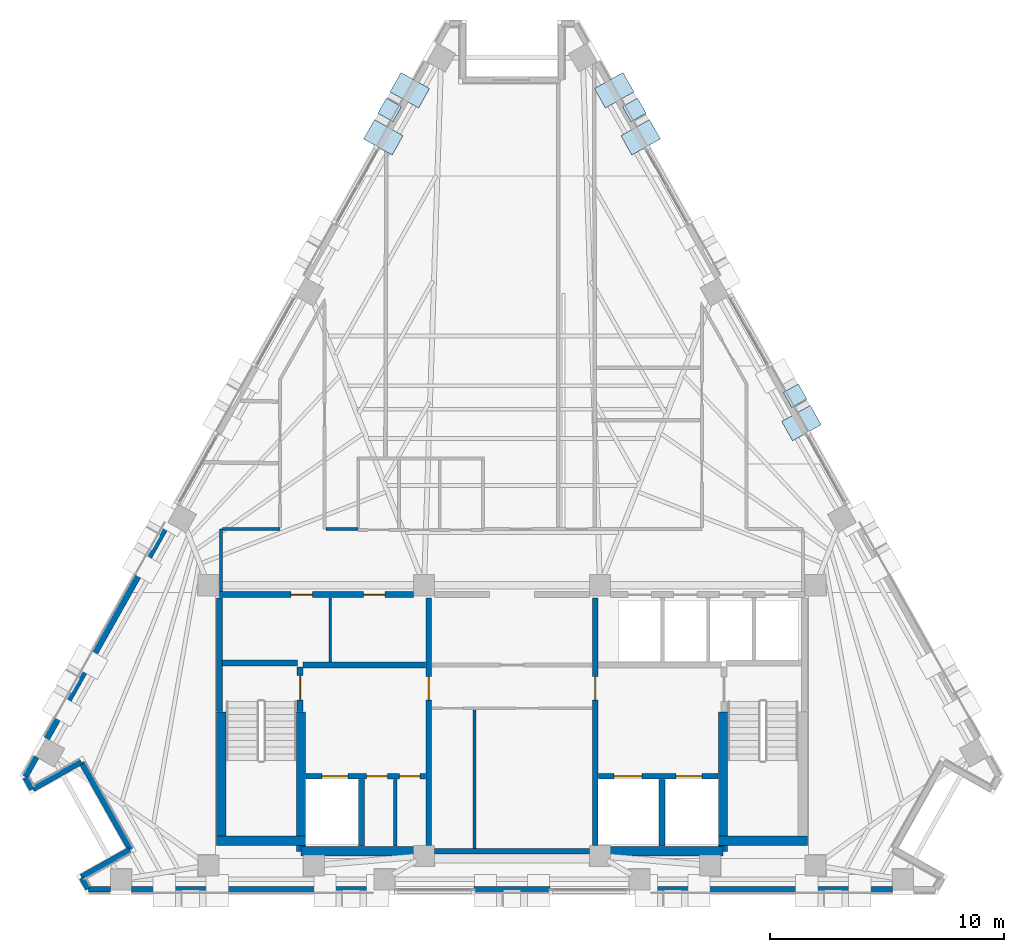
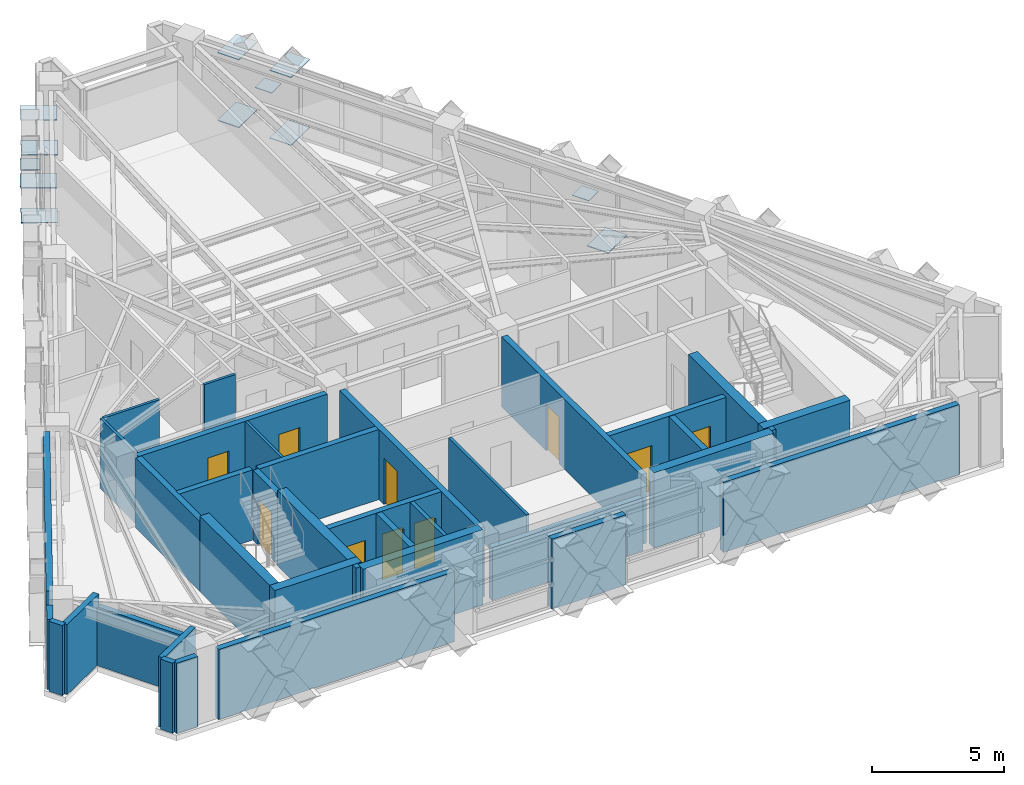
# One storey, part 7 of 12: 36 walls, 12 plates, 10 doors, 10 openings.
"""IFC4 building model written with IfcOpenShell, lengths in metres."""

import ifcopenshell
import ifcopenshell.guid

model = None  # the IFC model being written
_history = None  # IfcOwnerHistory: only IFC2X3 demands one
_inside = {}  # id of a spatial element -> (the spatial element, [elements in it])
_under = {}  # id of a project, library or spatial element -> (it, [spatial elements below it])
_declared = {}  # id of a project -> (the project, [libraries it declares])
_typed = {}  # id of a type object -> (the type object, [elements of that type])
_made_of = {}  # id of a material, layer set ... -> (it, [elements and type objects made of it])


def new_model(schema):
    """Start an empty IFC model of exactly this schema.

    Asked for "IFC4X3", IfcOpenShell would pick the latest addendum, in which some entities
    have other attributes; the version numbers below select the first issue.
    IFC2X3 requires an IfcOwnerHistory on every rooted entity: one is made here for all.
    """
    global model, _history
    if schema == "IFC4X3":
        model = ifcopenshell.file(schema_version=(4, 3, 0, 0))
    else:
        model = ifcopenshell.file(schema=schema)
    _inside.clear()
    _under.clear()
    _declared.clear()
    _typed.clear()
    _made_of.clear()
    _history = None
    if model.schema == "IFC2X3":
        org = make("IfcOrganization", Name="unknown")
        user = make(
            "IfcPersonAndOrganization",
            ThePerson=make("IfcPerson", FamilyName="unknown"),
            TheOrganization=org,
        )
        app = make(
            "IfcApplication",
            ApplicationDeveloper=org,
            Version="unknown",
            ApplicationFullName="unknown",
            ApplicationIdentifier="unknown",
        )
        _history = make(
            "IfcOwnerHistory",
            OwningUser=user,
            OwningApplication=app,
            ChangeAction="ADDED",
            CreationDate=0,
        )
    return model


def make(cls, **values):
    """One entity of the class cls with the attributes given. An attribute that is None is left unset."""
    return model.create_entity(
        cls, **{name: value for name, value in values.items() if value is not None}
    )


def rooted(cls, **values):
    """An entity with a GlobalId (a new one), such as an element, a storey or a relation."""
    return make(cls, GlobalId=ifcopenshell.guid.new(), OwnerHistory=_history, **values)


def si_unit(unit_type, name, prefix=None):
    """IfcSIUnit, for example si_unit("LENGTHUNIT", "METRE", prefix="MILLI")."""
    return make("IfcSIUnit", UnitType=unit_type, Prefix=prefix, Name=name)


def assignment(units):
    """IfcUnitAssignment: the units of a project."""
    return None if units is None else make("IfcUnitAssignment", Units=units)


def point(xyz):
    """IfcCartesianPoint."""
    return None if xyz is None else make("IfcCartesianPoint", Coordinates=xyz)


def direction(xyz):
    """IfcDirection."""
    return None if xyz is None else make("IfcDirection", DirectionRatios=xyz)


def frame(location, z_axis=None, x_axis=None):
    """IfcAxis2Placement3D, a coordinate frame: its origin and axes. An axis left out is left unset."""
    return make(
        "IfcAxis2Placement3D",
        Location=point(location),
        Axis=direction(z_axis),
        RefDirection=direction(x_axis),
    )


def frame_2d(location, x_axis=None):
    """IfcAxis2Placement2D, a coordinate frame in the plane: its origin and x axis."""
    return make(
        "IfcAxis2Placement2D", Location=point(location), RefDirection=direction(x_axis)
    )


def origin():
    """The frame at (0, 0, 0) with its axes left unset."""
    return frame((0.0, 0.0, 0.0))


def origin_2d():
    """The frame at (0, 0) in the plane with its x axis left unset."""
    return frame_2d((0.0, 0.0))


def place(relative_to, where):
    """IfcLocalPlacement: puts the frame where relative to a parent placement (None: the world)."""
    return make(
        "IfcLocalPlacement", PlacementRelTo=relative_to, RelativePlacement=where
    )


def context(
    kind, dimensions, precision=None, world=None, true_north=None, identifier=None
):
    """IfcGeometricRepresentationContext, for example the 3D "Model" context."""
    return make(
        "IfcGeometricRepresentationContext",
        ContextIdentifier=identifier,
        ContextType=kind,
        CoordinateSpaceDimension=dimensions,
        Precision=precision,
        WorldCoordinateSystem=world,
        TrueNorth=true_north,
    )


def subcontext(parent, identifier, kind, view, scale=None):
    """IfcGeometricRepresentationSubContext, for example "Body" below "Model"."""
    return make(
        "IfcGeometricRepresentationSubContext",
        ContextIdentifier=identifier,
        ContextType=kind,
        ParentContext=parent,
        TargetScale=scale,
        TargetView=view,
    )


def project(units=None, contexts=None):
    """IfcProject with its units and contexts."""
    return rooted(
        "IfcProject",
        Name="project",
        RepresentationContexts=contexts,
        UnitsInContext=assignment(units),
    )


def spatial(cls, under=None, at=None, **own):
    """A site, building, storey or space (cls), placed at a placement, below another one or the project."""
    s = rooted(cls, ObjectPlacement=at, **own)
    if under is not None:
        _under.setdefault(under.id(), (under, []))[1].append(s)
    return s


def profile(cls, at=None, kind="AREA", **sizes):
    """A parametric profile (cls). Its sizes go by their IFC names, for example OverallWidth=200.0."""
    return make(cls, ProfileType=kind, Position=at, **sizes)


def rectangle(**sizes):
    """IfcRectangleProfileDef."""
    return profile("IfcRectangleProfileDef", **sizes)


def extrude(swept, where, along, depth):
    """IfcExtrudedAreaSolid: the profile swept, set in the frame where, extruded along a direction by depth."""
    return make(
        "IfcExtrudedAreaSolid",
        SweptArea=swept,
        Position=where,
        ExtrudedDirection=direction(along),
        Depth=depth,
    )


def shape(context_of_items, identifier, shape_type, items):
    """IfcShapeRepresentation: the items that make up one representation, for example the "Body"."""
    return make(
        "IfcShapeRepresentation",
        ContextOfItems=context_of_items,
        RepresentationIdentifier=identifier,
        RepresentationType=shape_type,
        Items=items,
    )


def material(Name=None, Category=None):
    """IfcMaterial."""
    return make("IfcMaterial", Name=Name, Category=Category)


def layer(
    of_material, thickness, ventilated=None, Name=None, Category=None, Priority=None
):
    """IfcMaterialLayer: one layer of a wall or slab, of a material (None: an air gap)."""
    return make(
        "IfcMaterialLayer",
        Material=of_material,
        LayerThickness=thickness,
        IsVentilated=ventilated,
        Name=Name,
        Category=Category,
        Priority=Priority,
    )


def layer_set(layers, Name=None):
    """IfcMaterialLayerSet."""
    return make("IfcMaterialLayerSet", MaterialLayers=layers, LayerSetName=Name)


def made_of(thing, what):
    """Note that an element or type object is made of a material, layer set ...; save() writes the relation."""
    if what is not None:
        _made_of.setdefault(what.id(), (what, []))[1].append(thing)
    return thing


def type_object(cls, material=None, **own):
    """A type object (cls), such as IfcWallType, which elements share."""
    return made_of(rooted(cls, **own), material)


def element(
    cls,
    number,
    at=None,
    inside=None,
    cuts=None,
    type_object=None,
    material=None,
    context=None,
    identifier="Body",
    shape_type=None,
    held_by="IfcProductDefinitionShape",
    body=None,
    shapes=None,
    **own,
):
    """One element of the class cls, such as IfcWall. Its Tag is "e" and its number.

    at: its placement. inside: the storey or other place that contains it. cuts: it is an
    opening in that element (IfcRelVoidsElement). A single representation is given by context,
    identifier, shape_type and body (its items); several are given by shapes. held_by: the class
    of the entity that holds the representations. save() writes the other relations.
    """
    e = rooted(cls, Tag="e%d" % number, ObjectPlacement=at, **own)
    if body is not None:
        shapes = [shape(context, identifier, shape_type, body)]
    if shapes is not None:
        e.Representation = make(held_by, Representations=shapes)
    if inside is not None:
        _inside.setdefault(inside.id(), (inside, []))[1].append(e)
    if cuts is not None:
        rooted(
            "IfcRelVoidsElement", RelatingBuildingElement=cuts, RelatedOpeningElement=e
        )
    if type_object is not None:
        _typed.setdefault(type_object.id(), (type_object, []))[1].append(e)
    return made_of(e, material)


def fill(opening, filler):
    """IfcRelFillsElement: the door or window that sits in an opening."""
    return rooted(
        "IfcRelFillsElement",
        RelatingOpeningElement=opening,
        RelatedBuildingElement=filler,
    )


def aggregate(whole, parts):
    """IfcRelAggregates: a whole, such as a stair, and the parts it consists of."""
    return rooted("IfcRelAggregates", RelatingObject=whole, RelatedObjects=parts)


def save(model, path):
    """Write the relations noted so far, then the file.

    IfcRelAggregates (storeys below a building ...), IfcRelContainedInSpatialStructure (elements
    in a storey), IfcRelDefinesByType, IfcRelAssociatesMaterial and IfcRelDeclares: one each for
    every whole, place, type object, material and project.
    """
    for whole, parts in _under.values():
        aggregate(whole, parts)
    for where, things in _inside.values():
        rooted(
            "IfcRelContainedInSpatialStructure",
            RelatedElements=things,
            RelatingStructure=where,
        )
    for kind, things in _typed.values():
        rooted("IfcRelDefinesByType", RelatedObjects=things, RelatingType=kind)
    for what, things in _made_of.values():
        rooted("IfcRelAssociatesMaterial", RelatedObjects=things, RelatingMaterial=what)
    for by, libraries in _declared.values():
        rooted("IfcRelDeclares", RelatingContext=by, RelatedDefinitions=libraries)
    model.write(path)


model = new_model("IFC4")

# Units and contexts
model_context = context("Model", 3, precision=1e-05, world=origin(), true_north=direction((0.0, 1.0)))
body_context = subcontext(model_context, "Body", "Model", "MODEL_VIEW")
ifc_project = project(units=[si_unit("LENGTHUNIT", "METRE"), si_unit("AREAUNIT", "SQUARE_METRE"), si_unit("VOLUMEUNIT", "CUBIC_METRE"), si_unit("PLANEANGLEUNIT", "RADIAN"), si_unit("MASSUNIT", "GRAM", prefix="KILO")], contexts=[model_context])

# Site, building, storey
site_placement = place(None, origin())
site = spatial("IfcSite", under=ifc_project, at=site_placement, CompositionType="ELEMENT")
building_placement = place(site_placement, origin())
building = spatial("IfcBuilding", under=site, at=building_placement, Name="Quenlor Broadcast Tower", CompositionType="ELEMENT")
storey_placement = place(building_placement, frame((0.0, 0.0, 193.89990234375)))
storey = spatial("IfcBuildingStorey", under=building, at=storey_placement, Name="L53", CompositionType="ELEMENT", Elevation=193.89990234375)

# Plates
ifc_material_1 = material(Name="Steel S355", Category="steel")
ifc_layer_1 = layer(ifc_material_1, 0.028076171875)
ifc_layer_set_1 = layer_set([ifc_layer_1], Name="Perimeter Lattice Node Steel S355 Cap Plate 740x740x28")
plate_type_1 = type_object("IfcPlateType", Name="Perimeter Lattice Node Steel S355 Cap Plate 740x740x28", PredefinedType="USERDEFINED", material=ifc_layer_set_1)
for number, where, z_axis, x_axis, name in (
    (1, (5.21484375, 15.4755859375, 1.6162109375), (0.0, 0.0, 1.0), (0.490295412055, -0.871556314255, 0.0), "L53 Diamond Lattice Crossing Node NE-C1"),
    (2, (12.0732421875, 3.283447265625, 1.6162109375), (0.0, 0.0, 1.0), (0.490295412055, -0.871556314255, 0.0), "L53 Diamond Lattice Crossing Node NE-C3"),
    (3, (-5.21484375, 15.4755859375, 1.6162109375), (0.0, 0.0, 1.0), (0.490295412055, 0.871556314255, 0.0), "L53 Diamond Lattice Crossing Node NW-C5"),
):
    element("IfcPlate", number, at=place(storey_placement, frame(where, z_axis=z_axis, x_axis=x_axis)), inside=storey, type_object=plate_type_1, Name=name, ObjectType="CAP PLATE", PredefinedType="USERDEFINED", context=body_context, shape_type="SweptSolid", body=[
        extrude(rectangle(XDim=0.739990234375, YDim=0.739990234375, at=origin_2d()), origin(), (0.0, 0.0, 1.0), 0.028076171875),
    ])
ifc_material_2 = material(Name="Steel S355", Category="steel")
ifc_layer_2 = layer(ifc_material_2, 0.035888671875)
ifc_layer_set_2 = layer_set([ifc_layer_2], Name="Transfer Truss Steel S355 Gusset Node Plate 1400x950x36")
plate_type_2 = type_object("IfcPlateType", Name="Transfer Truss Steel S355 Gusset Node Plate 1400x950x36", PredefinedType="SHEET", material=ifc_layer_set_2)
for number, where, z_axis, x_axis, name in (
    (4, (4.3583984375, 16.315185546875, 0.0419921875), (0.0, 0.0, 1.0), (0.871556314255, 0.490295412055, 0.0), "L53 Lattice Tie Gusset Node NE-B1"),
    (5, (5.48779296875, 14.3076171875, 3.18212890625), (0.0, 0.0, 1.0), (0.871556314255, 0.490295412055, 0.0), "L53 Lattice Tie Gusset Node NE-T2"),
    (6, (5.48779296875, 14.3076171875, 0.0419921875), (0.0, 0.0, 1.0), (0.871556314255, 0.490295412055, 0.0), "L53 Lattice Tie Gusset Node NE-B2"),
    (7, (4.3583984375, 16.315185546875, 3.18212890625), (0.0, 0.0, 1.0), (0.871556314255, 0.490295412055, 0.0), "L53 Lattice Tie Gusset Node NE-T1"),
    (8, (12.345947265625, 2.115234375, 0.0419921875), (0.0, 0.0, 1.0), (0.871556314255, 0.490295412055, 0.0), "L53 Lattice Tie Gusset Node NE-B8"),
    (9, (-5.48779296875, 14.3076171875, 0.0419921875), (0.0, 0.0, 1.0), (-0.871556314255, 0.490295412055, 0.0), "L53 Lattice Tie Gusset Node NW-B13"),
    (10, (-4.3583984375, 16.315185546875, 3.18212890625), (0.0, 0.0, 1.0), (-0.871556314255, 0.490295412055, 0.0), "L53 Lattice Tie Gusset Node NW-T14"),
    (11, (-4.3583984375, 16.315185546875, 0.0419921875), (0.0, 0.0, 1.0), (-0.871556314255, 0.490295412055, 0.0), "L53 Lattice Tie Gusset Node NW-B14"),
    (12, (-5.48779296875, 14.3076171875, 3.18212890625), (0.0, 0.0, 1.0), (-0.871556314255, 0.490295412055, 0.0), "L53 Lattice Tie Gusset Node NW-T13"),
):
    element("IfcPlate", number, at=place(storey_placement, frame(where, z_axis=z_axis, x_axis=x_axis)), inside=storey, type_object=plate_type_2, Name=name, PredefinedType="SHEET", context=body_context, shape_type="SweptSolid", body=[
        extrude(rectangle(XDim=1.39990234375, YDim=0.949951171875, at=origin_2d()), origin(), (0.0, 0.0, 1.0), 0.035888671875),
    ])

# Walls
ifc_material_3 = material(Name="Concrete C50/60", Category="concrete")
ifc_layer_3 = layer(ifc_material_3, 0.39990234375)
ifc_layer_set_3 = layer_set([ifc_layer_3], Name="Core Concrete C50/60 Shear Wall 400")
wall_type_1 = type_object("IfcWallType", Name="Core Concrete C50/60 Shear Wall 400", PredefinedType="SHEAR", material=ifc_layer_set_3)
wall_1_placement = place(storey_placement, frame((-12.60009765625, -15.699951171875, 0.0), z_axis=(0.0, 0.0, 1.0), x_axis=(1.0, 0.0, 0.0)))
element("IfcWall", 13, at=wall_1_placement, inside=storey, type_object=wall_type_1, Name="L53 Core Shear Wall WS-W1", PredefinedType="SHEAR", context=body_context, shape_type="SweptSolid", body=[
    extrude(rectangle(XDim=3.800048828125, YDim=0.39990234375, at=frame_2d((1.89990234375, 0.0))), origin(), (0.0, 0.0, 1.0), 3.5),
])
for number, where, z_axis, x_axis, name in (
    (14, (-9.0, -16.14990234375, 0.0), (0.0, 0.0, 1.0), (1.0, 0.0, 0.0), "L53 Core Shear Wall WS-W2"),
    (15, (3.75, -16.14990234375, 0.0), (0.0, 0.0, 1.0), (1.0, 0.0, 0.0), "L53 Core Shear Wall WS-E1"),
):
    element("IfcWall", number, at=place(storey_placement, frame(where, z_axis=z_axis, x_axis=x_axis)), inside=storey, type_object=wall_type_1, Name=name, PredefinedType="SHEAR", context=body_context, shape_type="SweptSolid", body=[
        extrude(rectangle(XDim=5.25, YDim=0.39990234375, at=frame_2d((2.625, 0.0))), origin(), (0.0, 0.0, 1.0), 3.5),
    ])
wall_2_placement = place(storey_placement, frame((8.800048828125, -15.699951171875, 0.0), z_axis=(0.0, 0.0, 1.0), x_axis=(1.0, 0.0, 0.0)))
element("IfcWall", 16, at=wall_2_placement, inside=storey, type_object=wall_type_1, Name="L53 Core Shear Wall WS-E2", PredefinedType="SHEAR", context=body_context, shape_type="SweptSolid", body=[
    extrude(rectangle(XDim=3.800048828125, YDim=0.39990234375, at=frame_2d((1.89990234375, 0.0))), origin(), (0.0, 0.0, 1.0), 3.5),
])
wall_3_placement = place(storey_placement, frame((-12.39990234375, -15.699951171875, 0.0), z_axis=(0.0, 0.0, 1.0), x_axis=(0.0, 1.0, 0.0)))
element("IfcWall", 17, at=wall_3_placement, inside=storey, type_object=wall_type_1, Name="L53 Core Shear Wall WF-W", PredefinedType="SHEAR", context=body_context, shape_type="SweptSolid", body=[
    extrude(rectangle(XDim=5.5, YDim=0.39990234375, at=frame_2d((2.75, 0.0))), origin(), (0.0, 0.0, 1.0), 3.5),
])
for number, where, z_axis, x_axis, name in (
    (18, (-9.0, -16.14990234375, 0.0), (0.0, 0.0, 1.0), (0.0, 1.0, 0.0), "L53 Core Shear Wall WI-W"),
    (19, (9.0, -16.14990234375, 0.0), (0.0, 0.0, 1.0), (0.0, 1.0, 0.0), "L53 Core Shear Wall WI-E"),
):
    element("IfcWall", number, at=place(storey_placement, frame(where, z_axis=z_axis, x_axis=x_axis)), inside=storey, type_object=wall_type_1, Name=name, PredefinedType="SHEAR", context=body_context, shape_type="SweptSolid", body=[
        extrude(rectangle(XDim=5.949951171875, YDim=0.39990234375, at=frame_2d((2.97509765625, 0.0))), origin(), (0.0, 0.0, 1.0), 3.5),
    ])

# Wall, opening, door
ifc_material_4 = material(Name="Concrete C40/50", Category="concrete")
ifc_layer_4 = layer(ifc_material_4, 0.25)
ifc_layer_set_4 = layer_set([ifc_layer_4], Name="Fire Rated Concrete C40/50 Core Wall 250")
wall_type_2 = type_object("IfcWallType", Name="Fire Rated Concrete C40/50 Core Wall 250", PredefinedType="PARTITIONING", material=ifc_layer_set_4)
wall_4_placement = place(storey_placement, frame((-9.0400390625, -10.179931640625, 0.0), z_axis=(0.0, 0.0, 1.0), x_axis=(0.0, 1.0, 0.0)))
wall_4 = element("IfcWall", 20, at=wall_4_placement, inside=storey, type_object=wall_type_2, Name="L53 Interior Wall CW-ST1-DR", PredefinedType="PARTITIONING", context=body_context, shape_type="SweptSolid", body=[
    extrude(rectangle(XDim=1.89990234375, YDim=0.25, at=frame_2d((0.949951171875, 0.0))), origin(), (0.0, 0.0, 1.0), 3.25),
])
opening_1_placement = place(wall_4_placement, frame((0.47998046875, 0.0, 0.0)))
opening_1 = element("IfcOpeningElement", 21, at=opening_1_placement, cuts=wall_4, Name="Opening FD-1", PredefinedType="OPENING", context=body_context, shape_type="SweptSolid", body=[
    extrude(rectangle(XDim=1.050048828125, YDim=2.14990234375, at=frame_2d((0.52490234375, 1.074951171875))), frame((0.0, 0.135009765625, 0.0), z_axis=(0.0, -1.0, 0.0), x_axis=(1.0, 0.0, 0.0)), (0.0, 0.0, 1.0), 0.27001953125),
])
ifc_material_5 = material(Name="Fire Rated Steel Door Leaf", Category="steel")
door_type_1 = type_object("IfcDoorType", Name="Fire Isolated Stair Door 1050x2150", OperationType="NOTDEFINED", PredefinedType="DOOR", material=ifc_material_5)
door_1_placement = place(opening_1_placement, origin())
door_1 = element("IfcDoor", 22, at=door_1_placement, inside=storey, type_object=door_type_1, Name="L53 Door DR-ST1", OperationType="SINGLE_SWING_LEFT", OverallHeight=2.14990234375, OverallWidth=1.050048828125, PredefinedType="DOOR", context=body_context, shape_type="SweptSolid", body=[
    extrude(rectangle(XDim=1.050048828125, YDim=2.14990234375, at=frame_2d((0.52490234375, 1.074951171875))), frame((0.0, 0.02490234375, 0.0), z_axis=(0.0, -1.0, 0.0), x_axis=(1.0, 0.0, 0.0)), (0.0, 0.0, 1.0), 0.050048828125),
])
fill(opening_1, door_1)

# Walls
wall_5_placement = place(storey_placement, frame((-12.3798828125, -8.1201171875, 0.0), z_axis=(0.0, 0.0, 1.0), x_axis=(1.0, 0.0, 0.0)))
element("IfcWall", 23, at=wall_5_placement, inside=storey, type_object=wall_type_2, Name="L53 Interior Wall CW-ST1-N", PredefinedType="PARTITIONING", context=body_context, shape_type="SweptSolid", body=[
    extrude(rectangle(XDim=3.219970703125, YDim=0.25, at=frame_2d((1.60986328125, 0.0))), origin(), (0.0, 0.0, 1.0), 3.25),
])
wall_6_placement = place(storey_placement, frame((-12.47998046875, -10.179931640625, 0.0), z_axis=(0.0, 0.0, 1.0), x_axis=(0.0, 1.0, 0.0)))
element("IfcWall", 24, at=wall_6_placement, inside=storey, type_object=wall_type_2, Name="L53 Interior Wall CW-ST1-W2", PredefinedType="PARTITIONING", context=body_context, shape_type="SweptSolid", body=[
    extrude(rectangle(XDim=4.83984375, YDim=0.25, at=frame_2d((2.419921875, 0.0))), origin(), (0.0, 0.0, 1.0), 3.25),
])

# Wall, openings, doors
wall_7_placement = place(storey_placement, frame((-8.798095703125, -12.949951171875, 0.0), z_axis=(0.0, 0.0, 1.0), x_axis=(1.0, 0.0, 0.0)))
wall_7 = element("IfcWall", 25, at=wall_7_placement, inside=storey, type_object=wall_type_2, Name="L53 Interior Wall CW-FFW-S", PredefinedType="PARTITIONING", context=body_context, shape_type="SweptSolid", body=[
    extrude(rectangle(XDim=5.1181640625, YDim=0.25, at=frame_2d((2.55908203125, 0.0))), origin(), (0.0, 0.0, 1.0), 3.25),
])
opening_2_placement = place(wall_7_placement, frame((0.697998046875, 0.0, 0.0)))
opening_2 = element("IfcOpeningElement", 26, at=opening_2_placement, cuts=wall_7, Name="Opening LD-FFL-1", PredefinedType="OPENING", context=body_context, shape_type="SweptSolid", body=[
    extrude(rectangle(XDim=1.10009765625, YDim=2.14990234375, at=frame_2d((0.550048828125, 1.074951171875))), frame((0.0, 0.135009765625, 0.0), z_axis=(0.0, -1.0, 0.0), x_axis=(1.0, 0.0, 0.0)), (0.0, 0.0, 1.0), 0.27001953125),
])
opening_3_placement = place(wall_7_placement, frame((2.597900390625, 0.0, 0.0)))
opening_3 = element("IfcOpeningElement", 27, at=opening_3_placement, cuts=wall_7, Name="Opening TD-1", PredefinedType="OPENING", context=body_context, shape_type="SweptSolid", body=[
    extrude(rectangle(XDim=0.8798828125, YDim=2.10009765625, at=frame_2d((0.43994140625, 1.050048828125))), frame((0.0, 0.135009765625, 0.0), z_axis=(0.0, -1.0, 0.0), x_axis=(1.0, 0.0, 0.0)), (0.0, 0.0, 1.0), 0.27001953125),
])
opening_4_placement = place(wall_7_placement, frame((3.998046875, 0.0, 0.0)))
opening_4 = element("IfcOpeningElement", 28, at=opening_4_placement, cuts=wall_7, Name="Opening TD-1", PredefinedType="OPENING", context=body_context, shape_type="SweptSolid", body=[
    extrude(rectangle(XDim=0.8798828125, YDim=2.10009765625, at=frame_2d((0.43994140625, 1.050048828125))), frame((0.0, 0.135009765625, 0.0), z_axis=(0.0, -1.0, 0.0), x_axis=(1.0, 0.0, 0.0)), (0.0, 0.0, 1.0), 0.27001953125),
])
ifc_material_6 = material(Name="Brushed Stainless Steel", Category="steel")
door_type_2 = type_object("IfcDoorType", Name="Emergency Lift Sliding Landing Door 1100x2150", OperationType="NOTDEFINED", PredefinedType="DOOR", material=ifc_material_6)
door_2_placement = place(opening_2_placement, origin())
door_2 = element("IfcDoor", 29, at=door_2_placement, inside=storey, type_object=door_type_2, Name="L53 Door LD-FFL-1", OperationType="SLIDING_TO_LEFT", OverallHeight=2.14990234375, OverallWidth=1.10009765625, PredefinedType="DOOR", context=body_context, shape_type="SweptSolid", body=[
    extrude(rectangle(XDim=1.10009765625, YDim=2.14990234375, at=frame_2d((0.550048828125, 1.074951171875))), frame((0.0, 0.02490234375, 0.0), z_axis=(0.0, -1.0, 0.0), x_axis=(1.0, 0.0, 0.0)), (0.0, 0.0, 1.0), 0.050048828125),
])
fill(opening_2, door_2)
ifc_material_7 = material(Name="Fire Rated Steel Access Panel", Category="steel")
door_type_3 = type_object("IfcDoorType", Name="Riser Shaft Rated Access Trapdoor 880x2100", OperationType="NOTDEFINED", PredefinedType="TRAPDOOR", material=ifc_material_7)
door_3_placement = place(opening_3_placement, origin())
door_3 = element("IfcDoor", 30, at=door_3_placement, inside=storey, type_object=door_type_3, Name="L53 Door DR-ELR", OperationType="SINGLE_SWING_LEFT", OverallHeight=2.10009765625, OverallWidth=0.8798828125, PredefinedType="TRAPDOOR", context=body_context, shape_type="SweptSolid", body=[
    extrude(rectangle(XDim=0.8798828125, YDim=2.10009765625, at=frame_2d((0.43994140625, 1.050048828125))), frame((0.0, 0.02490234375, 0.0), z_axis=(0.0, -1.0, 0.0), x_axis=(1.0, 0.0, 0.0)), (0.0, 0.0, 1.0), 0.050048828125),
])
fill(opening_3, door_3)
door_4_placement = place(opening_4_placement, origin())
door_4 = element("IfcDoor", 31, at=door_4_placement, inside=storey, type_object=door_type_3, Name="L53 Door DR-CMR", OperationType="SINGLE_SWING_RIGHT", OverallHeight=2.10009765625, OverallWidth=0.8798828125, PredefinedType="TRAPDOOR", context=body_context, shape_type="SweptSolid", body=[
    extrude(rectangle(XDim=0.8798828125, YDim=2.10009765625, at=frame_2d((0.43994140625, 1.050048828125))), frame((0.0, 0.02490234375, 0.0), z_axis=(0.0, -1.0, 0.0), x_axis=(1.0, 0.0, 0.0)), (0.0, 0.0, 1.0), 0.050048828125),
])
fill(opening_4, door_4)

wall_8_placement = place(storey_placement, frame((3.679931640625, -12.949951171875, 0.0), z_axis=(0.0, 0.0, 1.0), x_axis=(1.0, 0.0, 0.0)))
wall_8 = element("IfcWall", 32, at=wall_8_placement, inside=storey, type_object=wall_type_2, Name="L53 Interior Wall CW-FFE-S", PredefinedType="PARTITIONING", context=body_context, shape_type="SweptSolid", body=[
    extrude(rectangle(XDim=5.1181640625, YDim=0.25, at=frame_2d((2.55908203125, 0.0))), origin(), (0.0, 0.0, 1.0), 3.25),
])
opening_5_placement = place(wall_8_placement, frame((3.320068359375, 0.0, 0.0)))
opening_5 = element("IfcOpeningElement", 33, at=opening_5_placement, cuts=wall_8, Name="Opening LD-FFL-2", PredefinedType="OPENING", context=body_context, shape_type="SweptSolid", body=[
    extrude(rectangle(XDim=1.10009765625, YDim=2.14990234375, at=frame_2d((0.550048828125, 1.074951171875))), frame((0.0, 0.135009765625, 0.0), z_axis=(0.0, -1.0, 0.0), x_axis=(1.0, 0.0, 0.0)), (0.0, 0.0, 1.0), 0.27001953125),
])
opening_6_placement = place(wall_8_placement, frame((0.669921875, 0.0, 0.0)))
opening_6 = element("IfcOpeningElement", 34, at=opening_6_placement, cuts=wall_8, Name="Opening LD-SVL-1", PredefinedType="OPENING", context=body_context, shape_type="SweptSolid", body=[
    extrude(rectangle(XDim=1.199951171875, YDim=2.14990234375, at=frame_2d((0.60009765625, 1.074951171875))), frame((0.0, 0.135009765625, 0.0), z_axis=(0.0, -1.0, 0.0), x_axis=(1.0, 0.0, 0.0)), (0.0, 0.0, 1.0), 0.27001953125),
])
door_5_placement = place(opening_5_placement, origin())
door_5 = element("IfcDoor", 35, at=door_5_placement, inside=storey, type_object=door_type_2, Name="L53 Door LD-FFL-2", OperationType="SLIDING_TO_RIGHT", OverallHeight=2.14990234375, OverallWidth=1.10009765625, PredefinedType="DOOR", context=body_context, shape_type="SweptSolid", body=[
    extrude(rectangle(XDim=1.10009765625, YDim=2.14990234375, at=frame_2d((0.550048828125, 1.074951171875))), frame((0.0, 0.02490234375, 0.0), z_axis=(0.0, -1.0, 0.0), x_axis=(1.0, 0.0, 0.0)), (0.0, 0.0, 1.0), 0.050048828125),
])
fill(opening_5, door_5)
ifc_material_8 = material(Name="Brushed Stainless Steel", Category="steel")
door_type_4 = type_object("IfcDoorType", Name="Goods Lift Sliding Landing Door 1200x2150", OperationType="NOTDEFINED", PredefinedType="DOOR", material=ifc_material_8)
door_6_placement = place(opening_6_placement, origin())
door_6 = element("IfcDoor", 36, at=door_6_placement, inside=storey, type_object=door_type_4, Name="L53 Door LD-SVL-1", OperationType="SLIDING_TO_LEFT", OverallHeight=2.14990234375, OverallWidth=1.199951171875, PredefinedType="DOOR", context=body_context, shape_type="SweptSolid", body=[
    extrude(rectangle(XDim=1.199951171875, YDim=2.14990234375, at=frame_2d((0.60009765625, 1.074951171875))), frame((0.0, 0.02490234375, 0.0), z_axis=(0.0, -1.0, 0.0), x_axis=(1.0, 0.0, 0.0)), (0.0, 0.0, 1.0), 0.050048828125),
])
fill(opening_6, door_6)

# Walls
for number, where, z_axis, x_axis, name in (
    (37, (-6.419921875, -15.919921875, 0.0), (0.0, 0.0, 1.0), (0.0, 1.0, 0.0), "L53 Interior Wall CW-FF1-E"),
    (38, (6.39990234375, -15.919921875, 0.0), (0.0, 0.0, 1.0), (0.0, 1.0, 0.0), "L53 Interior Wall CW-SV1-E"),
):
    element("IfcWall", number, at=place(storey_placement, frame(where, z_axis=z_axis, x_axis=x_axis)), inside=storey, type_object=wall_type_2, Name=name, PredefinedType="PARTITIONING", context=body_context, shape_type="SweptSolid", body=[
        extrude(rectangle(XDim=2.829833984375, YDim=0.25, at=frame_2d((1.4150390625, 0.0))), origin(), (0.0, 0.0, 1.0), 3.25),
    ])
wall_9_placement = place(storey_placement, frame((-8.919921875, -8.199951171875, 0.0), z_axis=(0.0, 0.0, 1.0), x_axis=(1.0, 0.0, 0.0)))
element("IfcWall", 39, at=wall_9_placement, inside=storey, type_object=wall_type_2, Name="L53 Interior Wall CW-FFW-N", PredefinedType="PARTITIONING", context=body_context, shape_type="SweptSolid", body=[
    extrude(rectangle(XDim=5.239990234375, YDim=0.25, at=frame_2d((2.6201171875, 0.0))), origin(), (0.0, 0.0, 1.0), 3.25),
])

# Wall, opening, door
wall_10_placement = place(storey_placement, frame((-3.550048828125, -15.89794921875, 0.0), z_axis=(0.0, 0.0, 1.0), x_axis=(0.0, 1.0, 0.0)))
wall_10 = element("IfcWall", 40, at=wall_10_placement, inside=storey, type_object=wall_type_2, Name="L53 Interior Wall CW-FFW-E", PredefinedType="PARTITIONING", context=body_context, shape_type="SweptSolid", body=[
    extrude(rectangle(XDim=10.557861328125, YDim=0.25, at=frame_2d((5.27880859375, 0.0))), origin(), (0.0, 0.0, 1.0), 3.25),
])
opening_7_placement = place(wall_10_placement, frame((6.197998046875, 0.0, 0.0)))
opening_7 = element("IfcOpeningElement", 41, at=opening_7_placement, cuts=wall_10, Name="Opening FD-2", PredefinedType="OPENING", context=body_context, shape_type="SweptSolid", body=[
    extrude(rectangle(XDim=1.0, YDim=2.14990234375, at=frame_2d((0.5, 1.074951171875))), frame((0.0, 0.135009765625, 0.0), z_axis=(0.0, -1.0, 0.0), x_axis=(1.0, 0.0, 0.0)), (0.0, 0.0, 1.0), 0.27001953125),
])
ifc_material_9 = material(Name="Fire Rated Glazed Steel Door", Category="steel")
door_type_5 = type_object("IfcDoorType", Name="Firefighting Lobby Smoke Door 1000x2150", OperationType="NOTDEFINED", PredefinedType="DOOR", material=ifc_material_9)
door_7_placement = place(opening_7_placement, origin())
door_7 = element("IfcDoor", 42, at=door_7_placement, inside=storey, type_object=door_type_5, Name="L53 Door DR-FFLW", OperationType="SINGLE_SWING_RIGHT", OverallHeight=2.14990234375, OverallWidth=1.0, PredefinedType="DOOR", context=body_context, shape_type="SweptSolid", body=[
    extrude(rectangle(XDim=1.0, YDim=2.14990234375, at=frame_2d((0.5, 1.074951171875))), frame((0.0, 0.02490234375, 0.0), z_axis=(0.0, -1.0, 0.0), x_axis=(1.0, 0.0, 0.0)), (0.0, 0.0, 1.0), 0.050048828125),
])
fill(opening_7, door_7)

wall_11_placement = place(storey_placement, frame((3.550048828125, -15.89794921875, 0.0), z_axis=(0.0, 0.0, 1.0), x_axis=(0.0, 1.0, 0.0)))
wall_11 = element("IfcWall", 43, at=wall_11_placement, inside=storey, type_object=wall_type_2, Name="L53 Interior Wall CW-FFE-W", PredefinedType="PARTITIONING", context=body_context, shape_type="SweptSolid", body=[
    extrude(rectangle(XDim=10.557861328125, YDim=0.25, at=frame_2d((5.27880859375, 0.0))), origin(), (0.0, 0.0, 1.0), 3.25),
])
opening_8_placement = place(wall_11_placement, frame((6.197998046875, 0.0, 0.0)))
opening_8 = element("IfcOpeningElement", 44, at=opening_8_placement, cuts=wall_11, Name="Opening FD-2", PredefinedType="OPENING", context=body_context, shape_type="SweptSolid", body=[
    extrude(rectangle(XDim=1.0, YDim=2.14990234375, at=frame_2d((0.5, 1.074951171875))), frame((0.0, 0.135009765625, 0.0), z_axis=(0.0, -1.0, 0.0), x_axis=(1.0, 0.0, 0.0)), (0.0, 0.0, 1.0), 0.27001953125),
])
door_8_placement = place(opening_8_placement, origin())
door_8 = element("IfcDoor", 45, at=door_8_placement, inside=storey, type_object=door_type_5, Name="L53 Door DR-FFLE", OperationType="SINGLE_SWING_LEFT", OverallHeight=2.14990234375, OverallWidth=1.0, PredefinedType="DOOR", context=body_context, shape_type="SweptSolid", body=[
    extrude(rectangle(XDim=1.0, YDim=2.14990234375, at=frame_2d((0.5, 1.074951171875))), frame((0.0, 0.02490234375, 0.0), z_axis=(0.0, -1.0, 0.0), x_axis=(1.0, 0.0, 0.0)), (0.0, 0.0, 1.0), 0.050048828125),
])
fill(opening_8, door_8)

# Wall, openings, doors
wall_12_placement = place(storey_placement, frame((-12.47998046875, -5.199951171875, 0.0), z_axis=(0.0, 0.0, 1.0), x_axis=(1.0, 0.0, 0.0)))
wall_12 = element("IfcWall", 46, at=wall_12_placement, inside=storey, type_object=wall_type_2, Name="L53 Interior Wall CW-N-W", PredefinedType="PARTITIONING", context=body_context, shape_type="SweptSolid", body=[
    extrude(rectangle(XDim=8.278076171875, YDim=0.25, at=frame_2d((4.13916015625, 0.0))), origin(), (0.0, 0.0, 1.0), 3.25),
])
opening_9_placement = place(wall_12_placement, frame((3.050048828125, 0.0, 0.0)))
opening_9 = element("IfcOpeningElement", 47, at=opening_9_placement, cuts=wall_12, Name="Opening ID-1", PredefinedType="OPENING", context=body_context, shape_type="SweptSolid", body=[
    extrude(rectangle(XDim=0.919921875, YDim=2.1201171875, at=frame_2d((0.4599609375, 1.06005859375))), frame((0.0, 0.135009765625, 0.0), z_axis=(0.0, -1.0, 0.0), x_axis=(1.0, 0.0, 0.0)), (0.0, 0.0, 1.0), 0.27001953125),
])
opening_10_placement = place(wall_12_placement, frame((6.14990234375, 0.0, 0.0)))
opening_10 = element("IfcOpeningElement", 48, at=opening_10_placement, cuts=wall_12, Name="Opening ID-1", PredefinedType="OPENING", context=body_context, shape_type="SweptSolid", body=[
    extrude(rectangle(XDim=0.919921875, YDim=2.1201171875, at=frame_2d((0.4599609375, 1.06005859375))), frame((0.0, 0.135009765625, 0.0), z_axis=(0.0, -1.0, 0.0), x_axis=(1.0, 0.0, 0.0)), (0.0, 0.0, 1.0), 0.27001953125),
])
ifc_material_10 = material(Name="Solid Core Timber Oak", Category="wood")
door_type_6 = type_object("IfcDoorType", Name="Single Leaf Timber Office Door 920x2120", OperationType="NOTDEFINED", PredefinedType="DOOR", material=ifc_material_10)
door_9_placement = place(opening_9_placement, origin())
door_9 = element("IfcDoor", 49, at=door_9_placement, inside=storey, type_object=door_type_6, Name="L53 Door DR-RCL1", OperationType="SINGLE_SWING_LEFT", OverallHeight=2.1201171875, OverallWidth=0.919921875, PredefinedType="DOOR", context=body_context, shape_type="SweptSolid", body=[
    extrude(rectangle(XDim=0.919921875, YDim=2.1201171875, at=frame_2d((0.4599609375, 1.06005859375))), frame((0.0, 0.02490234375, 0.0), z_axis=(0.0, -1.0, 0.0), x_axis=(1.0, 0.0, 0.0)), (0.0, 0.0, 1.0), 0.050048828125),
])
fill(opening_9, door_9)
door_10_placement = place(opening_10_placement, origin())
door_10 = element("IfcDoor", 50, at=door_10_placement, inside=storey, type_object=door_type_6, Name="L53 Door DR-RCL2", OperationType="SINGLE_SWING_RIGHT", OverallHeight=2.1201171875, OverallWidth=0.919921875, PredefinedType="DOOR", context=body_context, shape_type="SweptSolid", body=[
    extrude(rectangle(XDim=0.919921875, YDim=2.1201171875, at=frame_2d((0.4599609375, 1.06005859375))), frame((0.0, 0.02490234375, 0.0), z_axis=(0.0, -1.0, 0.0), x_axis=(1.0, 0.0, 0.0)), (0.0, 0.0, 1.0), 0.050048828125),
])
fill(opening_10, door_10)

# Walls
wall_13_placement = place(storey_placement, frame((-3.298095703125, -16.14990234375, 0.0), z_axis=(0.0, 0.0, 1.0), x_axis=(1.0, 0.0, 0.0)))
element("IfcWall", 51, at=wall_13_placement, inside=storey, type_object=wall_type_2, Name="L53 Interior Wall CW-MS-S", PredefinedType="PARTITIONING", context=body_context, shape_type="SweptSolid", body=[
    extrude(rectangle(XDim=6.59619140625, YDim=0.25, at=frame_2d((3.298095703125, 0.0))), origin(), (0.0, 0.0, 1.0), 2.4501953125),
])
ifc_material_11 = material(Name="Gypsum Fireboard Partition", Category="other")
ifc_layer_5 = layer(ifc_material_11, 0.159912109375)
ifc_layer_set_5 = layer_set([ifc_layer_5], Name="Fire Rated Shaft and Corridor Partition 160")
wall_type_3 = type_object("IfcWallType", Name="Fire Rated Shaft and Corridor Partition 160", PredefinedType="PARTITIONING", material=ifc_layer_set_5)
wall_14_placement = place(storey_placement, frame((-4.97998046875, -15.919921875, 0.0), z_axis=(0.0, 0.0, 1.0), x_axis=(0.0, 1.0, 0.0)))
element("IfcWall", 52, at=wall_14_placement, inside=storey, type_object=wall_type_3, Name="L53 Interior Wall CW-ELR-E", PredefinedType="PARTITIONING", context=body_context, shape_type="SweptSolid", body=[
    extrude(rectangle(XDim=2.829833984375, YDim=0.159912109375, at=frame_2d((1.4150390625, 0.0))), origin(), (0.0, 0.0, 1.0), 3.25),
])
ifc_material_12 = material(Name="Gypsum Plasterboard Partition", Category="other")
ifc_layer_6 = layer(ifc_material_12, 0.1201171875)
ifc_layer_set_6 = layer_set([ifc_layer_6], Name="Standard Office Partition 120")
wall_type_4 = type_object("IfcWallType", Name="Standard Office Partition 120", PredefinedType="PARTITIONING", material=ifc_layer_set_6)
wall_15_placement = place(storey_placement, frame((-7.75, -8.072998046875, 0.0), z_axis=(0.0, 0.0, 1.0), x_axis=(0.0, 1.0, 0.0)))
element("IfcWall", 53, at=wall_15_placement, inside=storey, type_object=wall_type_4, Name="L53 Interior Wall CW-RCL-MID", PredefinedType="PARTITIONING", context=body_context, shape_type="SweptSolid", body=[
    extrude(rectangle(XDim=2.73291015625, YDim=0.1201171875, at=frame_2d((1.366455078125, 0.0))), origin(), (0.0, 0.0, 1.0), 3.25),
])
wall_16_placement = place(storey_placement, frame((-1.60009765625, -16.02001953125, 0.0), z_axis=(0.0, 0.0, 1.0), x_axis=(0.0, 1.0, 0.0)))
element("IfcWall", 54, at=wall_16_placement, inside=storey, type_object=wall_type_4, Name="L53 Interior Wall CW-RCM-X1", PredefinedType="PARTITIONING", context=body_context, shape_type="SweptSolid", body=[
    extrude(rectangle(XDim=5.89013671875, YDim=0.1201171875, at=frame_2d((2.945068359375, 0.0))), origin(), (0.0, 0.0, 1.0), 3.25),
])
wall_17_placement = place(storey_placement, frame((-12.409912109375, -5.072998046875, 0.0), z_axis=(0.0, 0.0, 1.0), x_axis=(0.0, 1.0, 0.0)))
element("IfcWall", 55, at=wall_17_placement, inside=storey, type_object=wall_type_4, Name="L53 Interior Wall PW-CR-01", PredefinedType="PARTITIONING", context=body_context, shape_type="SweptSolid", body=[
    extrude(rectangle(XDim=2.673095703125, YDim=0.1201171875, at=frame_2d((1.33642578125, 0.0))), origin(), (0.0, 0.0, 1.0), 3.25),
])
wall_18_placement = place(storey_placement, frame((-12.347900390625, -2.39990234375, 0.0), z_axis=(0.0, 0.0, 1.0), x_axis=(1.0, 0.0, 0.0)))
element("IfcWall", 56, at=wall_18_placement, inside=storey, type_object=wall_type_4, Name="L53 Interior Wall PW-CR-02", PredefinedType="PARTITIONING", context=body_context, shape_type="SweptSolid", body=[
    extrude(rectangle(XDim=2.447998046875, YDim=0.1201171875, at=frame_2d((1.22412109375, 0.0))), origin(), (0.0, 0.0, 1.0), 3.25),
])
wall_19_placement = place(storey_placement, frame((-7.93798828125, -2.39990234375, 0.0), z_axis=(0.0, 0.0, 1.0), x_axis=(1.0, 0.0, 0.0)))
element("IfcWall", 57, at=wall_19_placement, inside=storey, type_object=wall_type_4, Name="L53 Interior Wall PW-CR-06", PredefinedType="PARTITIONING", context=body_context, shape_type="SweptSolid", body=[
    extrude(rectangle(XDim=1.3759765625, YDim=0.1201171875, at=frame_2d((0.68798828125, 0.0))), origin(), (0.0, 0.0, 1.0), 3.25),
])
ifc_material_13 = material(Name="Precast concrete C40/50", Category="concrete")
ifc_layer_7 = layer(ifc_material_13, 0.239990234375)
ifc_layer_set_7 = layer_set([ifc_layer_7], Name="Terrace Threshold Precast Concrete C40/50 Wall 240")
wall_type_5 = type_object("IfcWallType", Name="Terrace Threshold Precast Concrete C40/50 Wall 240", PredefinedType="STANDARD", material=ifc_layer_set_7)
wall_20_placement = place(storey_placement, frame((-17.130859375, -17.77490234375, 0.0), z_axis=(0.0, 0.0, 1.0), x_axis=(-1.0, 0.0, 0.0)))
element("IfcWall", 58, at=wall_20_placement, inside=storey, type_object=wall_type_5, Name="L53 Exterior Wall L53-SHD-SS1", PredefinedType="STANDARD", context=body_context, shape_type="SweptSolid", body=[
    extrude(rectangle(XDim=0.93505859375, YDim=0.239990234375, at=frame_2d((0.467529296875, 0.0))), origin(), (0.0, 0.0, 1.0), 3.25),
])
wall_21_placement = place(storey_placement, frame((-20.762451171875, -12.969970703125, 0.0), z_axis=(0.0, 0.0, 1.0), x_axis=(0.490345412687, 0.87152818443, 0.0)))
element("IfcWall", 59, at=wall_21_placement, inside=storey, type_object=wall_type_5, Name="L53 Exterior Wall L53-SHD-NWS0", PredefinedType="STANDARD", context=body_context, shape_type="SweptSolid", body=[
    extrude(rectangle(XDim=0.9638671875, YDim=0.239990234375, at=frame_2d((0.48193359375, 0.0))), origin(), (0.0, 0.0, 1.0), 3.25),
])
wall_22_placement = place(storey_placement, frame((-20.75537109375, -12.999267578125, 0.0), z_axis=(0.0, 0.0, 1.0), x_axis=(0.490320776404, -0.871542045014, 0.0)))
element("IfcWall", 60, at=wall_22_placement, inside=storey, type_object=wall_type_5, Name="L53 Exterior Wall L53-CNR-12", PredefinedType="STANDARD", context=body_context, shape_type="SweptSolid", body=[
    extrude(rectangle(XDim=0.583984375, YDim=0.239990234375, at=frame_2d((0.2919921875, 0.0))), origin(), (0.0, 0.0, 1.0), 3.25),
])
wall_23_placement = place(storey_placement, frame((-20.43408203125, -13.488525390625, 0.0), z_axis=(0.0, 0.0, 1.0), x_axis=(0.871578299909, 0.490256327984, 0.0)))
element("IfcWall", 61, at=wall_23_placement, inside=storey, type_object=wall_type_5, Name="L53 Exterior Wall L53-CNR-13", PredefinedType="STANDARD", context=body_context, shape_type="SweptSolid", body=[
    extrude(rectangle(XDim=2.35986328125, YDim=0.239990234375, at=frame_2d((1.179931640625, 0.0))), origin(), (0.0, 0.0, 1.0), 3.25),
])
wall_24_placement = place(storey_placement, frame((-18.357666015625, -12.366455078125, 0.0), z_axis=(0.0, 0.0, 1.0), x_axis=(0.49027487746, -0.871567865706, 0.0)))
element("IfcWall", 62, at=wall_24_placement, inside=storey, type_object=wall_type_5, Name="L53 Exterior Wall L53-CNR-14", PredefinedType="STANDARD", context=body_context, shape_type="SweptSolid", body=[
    extrude(rectangle(XDim=4.249755859375, YDim=0.239990234375, at=frame_2d((2.125, 0.0))), origin(), (0.0, 0.0, 1.0), 2.721923828125),
])
wall_25_placement = place(storey_placement, frame((-16.30908203125, -16.08984375, 0.0), z_axis=(0.0, 0.0, 1.0), x_axis=(-0.871578299909, -0.490256327984, 0.0)))
element("IfcWall", 63, at=wall_25_placement, inside=storey, type_object=wall_type_5, Name="L53 Exterior Wall L53-CNR-15", PredefinedType="STANDARD", context=body_context, shape_type="SweptSolid", body=[
    extrude(rectangle(XDim=2.35986328125, YDim=0.239990234375, at=frame_2d((1.179931640625, 0.0))), origin(), (0.0, 0.0, 1.0), 3.25),
])
wall_26_placement = place(storey_placement, frame((-18.346435546875, -17.28173828125, 0.0), z_axis=(0.0, 0.0, 1.0), x_axis=(0.49038986747, -0.87150317147, 0.0)))
element("IfcWall", 64, at=wall_26_placement, inside=storey, type_object=wall_type_5, Name="L53 Exterior Wall L53-CNR-16", PredefinedType="STANDARD", context=body_context, shape_type="SweptSolid", body=[
    extrude(rectangle(XDim=0.540771484375, YDim=0.239990234375, at=frame_2d((0.2705078125, 0.0))), origin(), (0.0, 0.0, 1.0), 3.25),
])
ifc_material_14 = material(Name="Precast concrete C40/50", Category="concrete")
ifc_layer_8 = layer(ifc_material_14, 0.260009765625)
ifc_layer_set_8 = layer_set([ifc_layer_8], Name="Terracotta Precast Concrete C40/50 Upper Wall 260")
wall_type_6 = type_object("IfcWallType", Name="Terracotta Precast Concrete C40/50 Upper Wall 260", PredefinedType="STANDARD", material=ifc_layer_set_8)
for number, where, z_axis, x_axis, name in (
    (65, (16.220947265625, -17.77490234375, 0.0), (0.0, 0.0, 1.0), (-1.0, 0.0, 0.0), "L53 Exterior Wall L53-EW-SA"),
    (66, (-5.892822265625, -17.77490234375, 0.0), (0.0, 0.0, 1.0), (-1.0, 0.0, 0.0), "L53 Exterior Wall L53-EW-SC"),
):
    element("IfcWall", number, at=place(storey_placement, frame(where, z_axis=z_axis, x_axis=x_axis)), inside=storey, type_object=wall_type_6, Name=name, PredefinedType="STANDARD", context=body_context, shape_type="SweptSolid", body=[
        extrude(rectangle(XDim=10.328125, YDim=0.260009765625, at=frame_2d((5.1640625, 0.0))), origin(), (0.0, 0.0, 1.0), 3.25),
    ])
wall_27_placement = place(storey_placement, frame((1.62109375, -17.77490234375, 0.0), z_axis=(0.0, 0.0, 1.0), x_axis=(-1.0, 0.0, 0.0)))
element("IfcWall", 67, at=wall_27_placement, inside=storey, type_object=wall_type_6, Name="L53 Exterior Wall L53-S-SP1", PredefinedType="STANDARD", context=body_context, shape_type="SweptSolid", body=[
    extrude(rectangle(XDim=3.2421875, YDim=0.260009765625, at=frame_2d((1.62109375, 0.0))), origin(), (0.0, 0.0, 1.0), 3.25),
])
wall_28_placement = place(storey_placement, frame((-19.84375, -11.3369140625, 0.0), z_axis=(0.0, 0.0, 1.0), x_axis=(0.490246958575, 0.871583570066, 0.0)))
element("IfcWall", 68, at=wall_28_placement, inside=storey, type_object=wall_type_6, Name="L53 Exterior Wall L53-EW-NWA", PredefinedType="STANDARD", context=body_context, shape_type="SweptSolid", body=[
    extrude(rectangle(XDim=10.551513671875, YDim=0.260009765625, at=frame_2d((5.27587890625, 0.0))), origin(), (0.0, 0.0, 1.0), 3.25),
])

save(model, "model.ifc")
